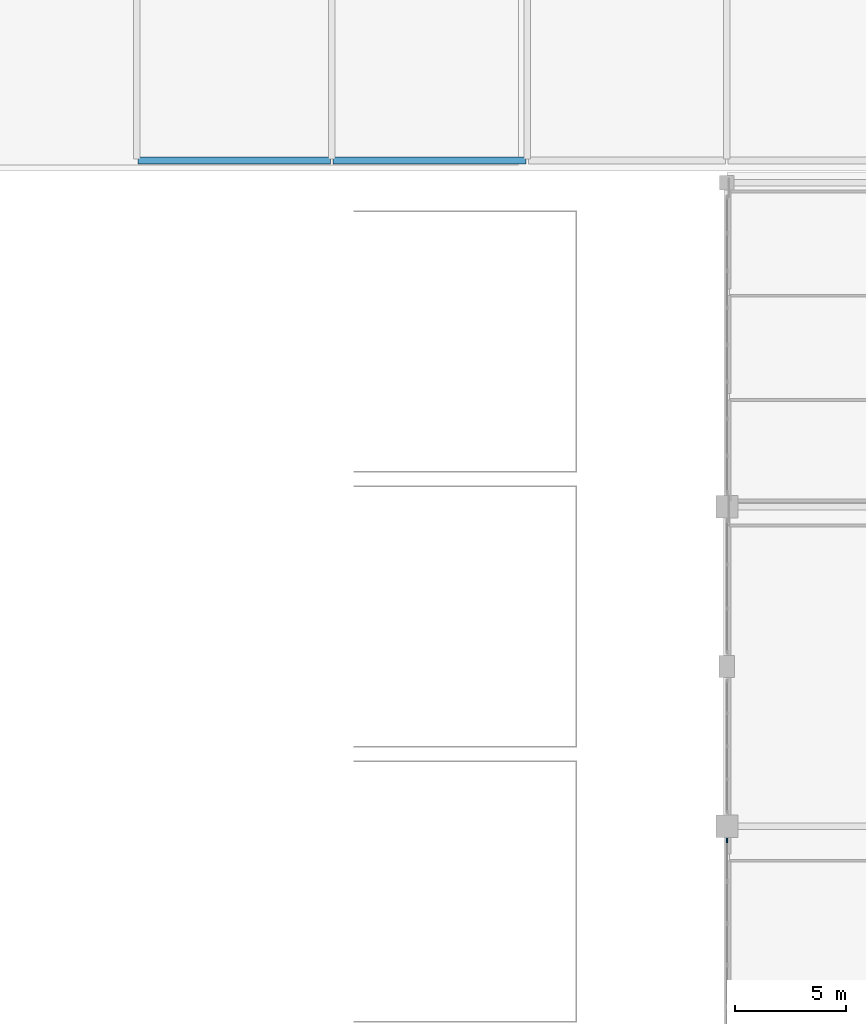
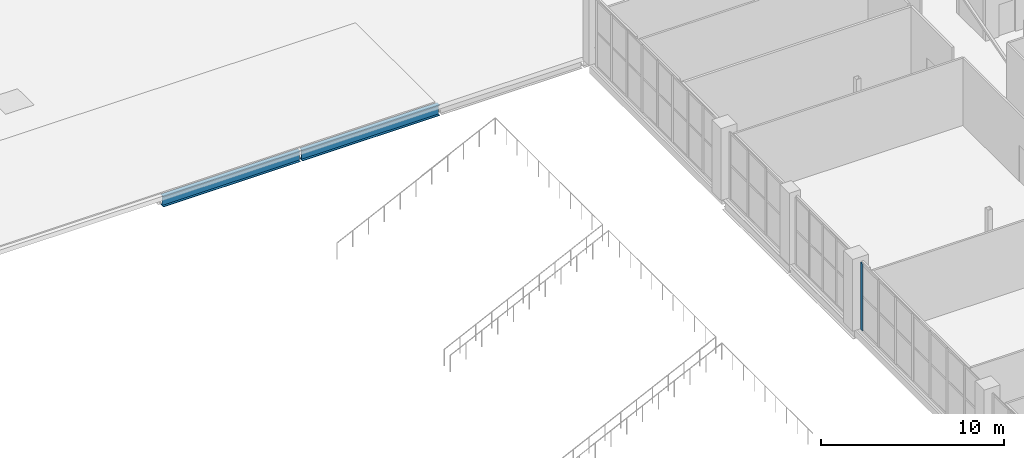
# One storey, part 44 of 104: 2 beams, 1 member, 1 element without a shape of its own.
"""IFC4 building model written with IfcOpenShell, lengths in metres."""

from ifc_helpers import new_model, si_unit, direction, frame, origin, origin_2d, place, context, subcontext, project, spatial, rectangle, i_section, extrude, material, material_profile, profile_set, type_object, element, aggregate, save


model = new_model("IFC4")

# Units and contexts
model_context = context("Model", 3, precision=1e-05, world=origin(), true_north=direction((0.0, 1.0)))
body_context = subcontext(model_context, "Body", "Model", "MODEL_VIEW")
ifc_project = project(units=[si_unit("LENGTHUNIT", "METRE"), si_unit("AREAUNIT", "SQUARE_METRE"), si_unit("VOLUMEUNIT", "CUBIC_METRE"), si_unit("PLANEANGLEUNIT", "RADIAN"), si_unit("MASSUNIT", "GRAM", prefix="KILO")], contexts=[model_context])

# Site, building, storey
site_placement = place(None, origin())
site = spatial("IfcSite", under=ifc_project, at=site_placement, CompositionType="ELEMENT")
building_placement = place(site_placement, origin())
building = spatial("IfcBuilding", under=site, at=building_placement, Name="Koshinbarg Plaza Stadium", CompositionType="ELEMENT")
storey_placement = place(building_placement, frame((0.0, 0.0, 19.800048828125)))
storey = spatial("IfcBuildingStorey", under=building, at=storey_placement, Name="L04", CompositionType="ELEMENT", Elevation=19.800048828125)

# Beams
ifc_material_1 = material(Name="Steel S355", Category="steel")
ifc_material_profile_1 = material_profile(ifc_material_1, i_section(OverallWidth=0.300048828125, OverallDepth=0.699951171875, WebThickness=0.01708984375, FlangeThickness=0.031982421875, at=origin_2d()), Name="HEB 700")
ifc_profile_set_1 = profile_set([ifc_material_profile_1], Name="Steel S355")
beam_type = type_object("IfcBeamType", Name="BM-SGIR-03", PredefinedType="USERDEFINED", material=ifc_profile_set_1)
beam_1_placement = place(storey_placement, frame((162.860107421875, 127.5, -0.650146484375), z_axis=(1.0, 0.0, 0.0), x_axis=(0.0, 1.0, 0.0)))
element("IfcBeam", 1, at=beam_1_placement, inside=storey, type_object=beam_type, Name="L04 X girder S/15-16", ObjectType="GIRDER", PredefinedType="USERDEFINED", context=body_context, shape_type="SweptSolid", body=[
    extrude(i_section(OverallWidth=0.300048828125, OverallDepth=0.699951171875, WebThickness=0.01708984375, FlangeThickness=0.031982421875, at=origin_2d()), origin(), (0.0, 0.0, 1.0), 8.679931640625),
])
beam_2_placement = place(storey_placement, frame((171.659912109375, 127.5, -0.650146484375), z_axis=(1.0, 0.0, 0.0), x_axis=(0.0, 1.0, 0.0)))
element("IfcBeam", 2, at=beam_2_placement, inside=storey, type_object=beam_type, Name="L04 X girder S/16-17", ObjectType="GIRDER", PredefinedType="USERDEFINED", context=body_context, shape_type="SweptSolid", body=[
    extrude(i_section(OverallWidth=0.300048828125, OverallDepth=0.699951171875, WebThickness=0.01708984375, FlangeThickness=0.031982421875, at=origin_2d()), origin(), (0.0, 0.0, 1.0), 8.68017578125),
])

# Curtain wall, member
ifc_material_2 = material(Name="Thermally broken anodised aluminium and low-E double glazing", Category="aluminium")
curtain_wall_type = type_object("IfcCurtainWallType", Name="CW-SYS-16", PredefinedType="NOTDEFINED", material=ifc_material_2)
curtain_wall_placement = place(storey_placement, origin())
curtain_wall = element("IfcCurtainWall", 3, at=curtain_wall_placement, inside=storey, type_object=curtain_wall_type, Name="L04 unitised curtain wall CW-L04-127", PredefinedType="NOTDEFINED")
ifc_material_3 = material(Name="Anodised aluminium mullion", Category="aluminium")
ifc_material_profile_2 = material_profile(ifc_material_3, rectangle(XDim=0.070068359375, YDim=0.199951171875, at=origin_2d()), Name="ALU 70x200")
ifc_profile_set_2 = profile_set([ifc_material_profile_2], Name="Anodised aluminium mullion")
member_type = type_object("IfcMemberType", Name="CW-MUL-04", PredefinedType="MULLION", material=ifc_profile_set_2)
member_placement = place(storey_placement, frame((189.39990234375, 96.85009765625, 0.0), z_axis=(0.0, 0.0, 1.0), x_axis=(-1.0, 0.0, 0.0)))
member = element("IfcMember", 4, at=member_placement, type_object=member_type, Name="CW16 mullion 8", PredefinedType="MULLION", context=body_context, shape_type="SweptSolid", body=[
    extrude(rectangle(XDim=0.070068359375, YDim=0.199951171875, at=origin_2d()), origin(), (0.0, 0.0, 1.0), 4.47998046875),
])
aggregate(curtain_wall, [member])

save(model, "model.ifc")
